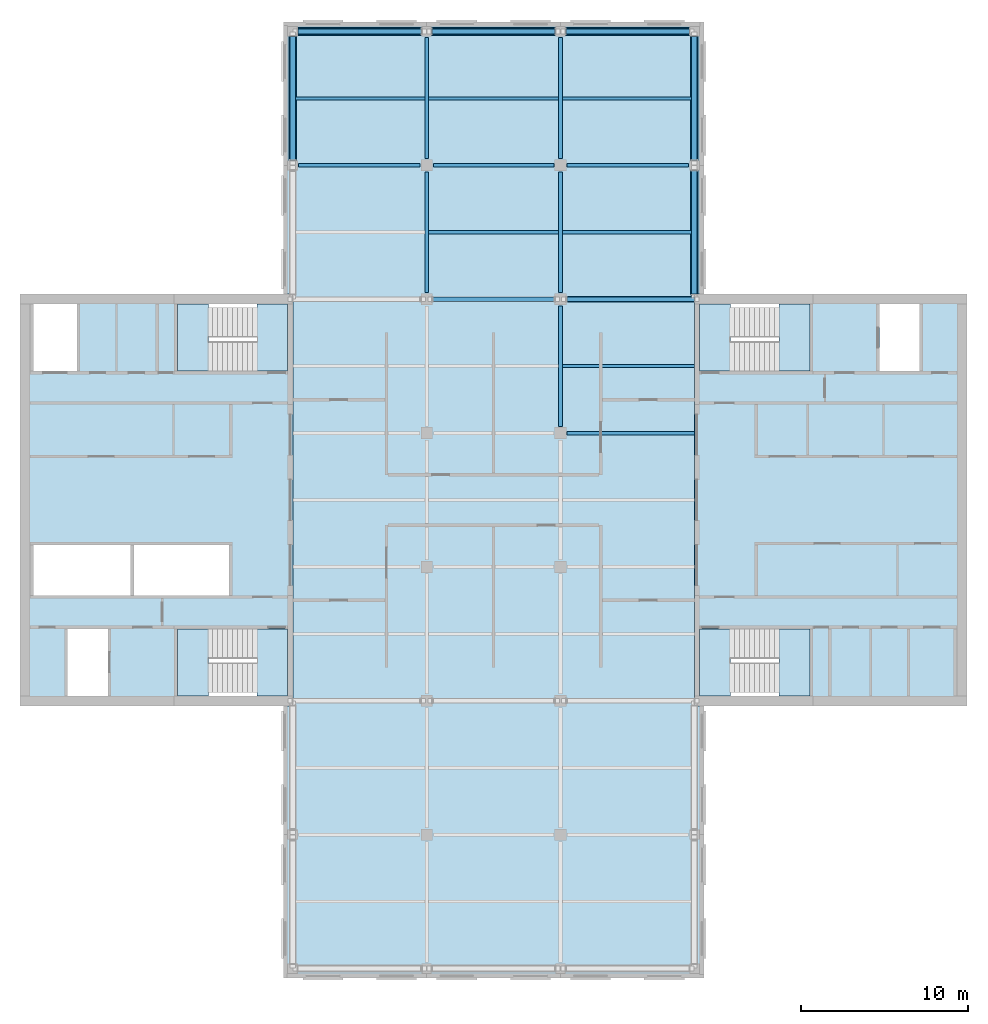
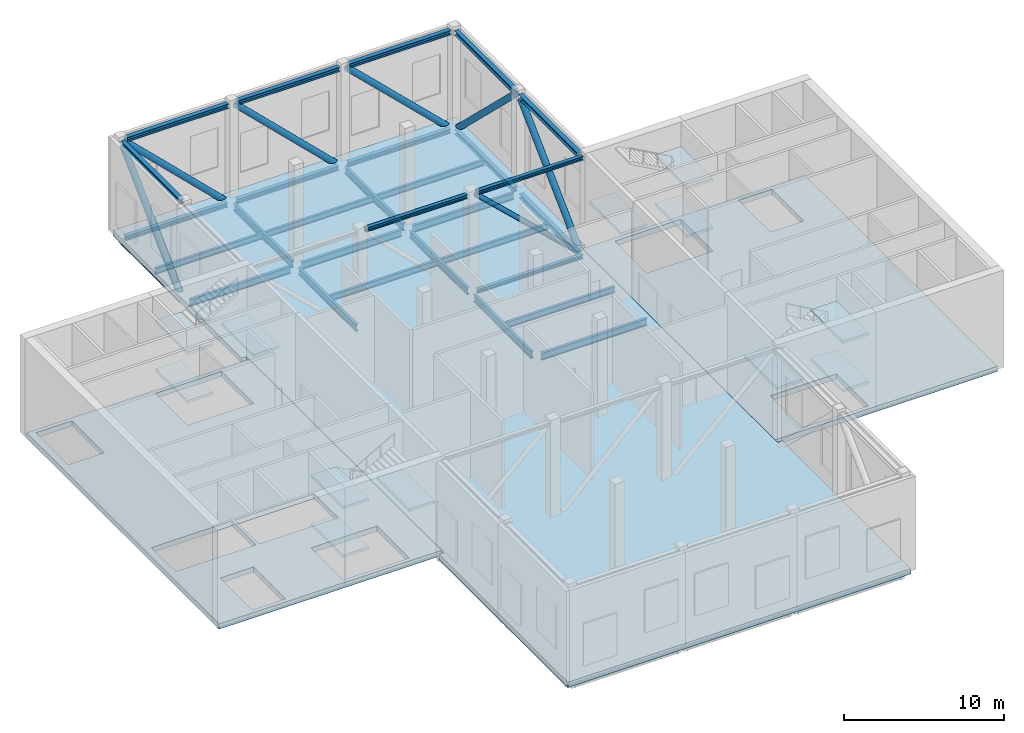
# One storey, part 2 of 10: 22 members, 15 beams, 15 slabs, 4 elements without a shape of their own.
"""IFC4 building model written with IfcOpenShell, lengths in metres."""

from ifc_helpers import new_model, si_unit, direction, frame, origin, origin_2d, place, context, subcontext, project, spatial, polyline, hollow_circle, i_section, outline, extrude, material, layer, layer_set, material_profile, profile_set, type_object, element, aggregate, save


model = new_model("IFC4")

# Units and contexts
model_context = context("Model", 3, precision=1e-05, world=origin(), true_north=direction((0.0, 1.0)))
body_context = subcontext(model_context, "Body", "Model", "MODEL_VIEW")
ifc_project = project(units=[si_unit("LENGTHUNIT", "METRE"), si_unit("AREAUNIT", "SQUARE_METRE"), si_unit("VOLUMEUNIT", "CUBIC_METRE"), si_unit("PLANEANGLEUNIT", "RADIAN"), si_unit("MASSUNIT", "GRAM", prefix="KILO")], contexts=[model_context])

# Site, building, storey
site_placement = place(None, origin())
site = spatial("IfcSite", under=ifc_project, at=site_placement, CompositionType="ELEMENT")
building_placement = place(site_placement, origin())
building = spatial("IfcBuilding", under=site, at=building_placement, Name="Crosswind Convention Tower", CompositionType="ELEMENT")
storey_placement = place(building_placement, frame((0.0, 0.0, 237.699951171875)))
storey = spatial("IfcBuildingStorey", under=building, at=storey_placement, Name="L51", CompositionType="ELEMENT", Elevation=237.699951171875)

# Beams
ifc_material_1 = material(Name="Steel S355", Category="steel")
ifc_material_profile_1 = material_profile(ifc_material_1, i_section(OverallWidth=0.210693359375, OverallDepth=0.53955078125, WebThickness=0.01171875, FlangeThickness=0.018798828125, FilletRadius=0.0126953125, at=origin_2d()), Name="UB 533x210x109")
ifc_profile_set_1 = profile_set([ifc_material_profile_1], Name="Steel S355")
beam_type_1 = type_object("IfcBeamType", Name="Girder UB 533x210x109", PredefinedType="BEAM", material=ifc_profile_set_1)
beam_1_placement = place(storey_placement, frame((113.35009765625, 120.0, -0.669677734375), z_axis=(1.0, 0.0, 0.0), x_axis=(0.0, 1.0, 0.0)))
element("IfcBeam", 1, at=beam_1_placement, inside=storey, type_object=beam_type_1, Name="B5 L51 girder 2", PredefinedType="BEAM", context=body_context, shape_type="SweptSolid", body=[
    extrude(i_section(OverallWidth=0.210693359375, OverallDepth=0.53955078125, WebThickness=0.01171875, FlangeThickness=0.018798828125, FilletRadius=0.0126953125, at=origin_2d()), origin(), (0.0, 0.0, 1.0), 7.25),
])
beam_2_placement = place(storey_placement, frame((121.0, 112.39990234375, -0.669677734375), z_axis=(0.0, 1.0, 0.0), x_axis=(-1.0, 0.0, 0.0)))
element("IfcBeam", 2, at=beam_2_placement, inside=storey, type_object=beam_type_1, Name="B5 L51 girder 8", PredefinedType="BEAM", context=body_context, shape_type="SweptSolid", body=[
    extrude(i_section(OverallWidth=0.210693359375, OverallDepth=0.53955078125, WebThickness=0.01171875, FlangeThickness=0.018798828125, FilletRadius=0.0126953125, at=origin_2d()), origin(), (0.0, 0.0, 1.0), 7.2001953125),
])
beam_3_placement = place(storey_placement, frame((121.0, 120.39990234375, -0.669677734375), z_axis=(0.0, 1.0, 0.0), x_axis=(-1.0, 0.0, 0.0)))
element("IfcBeam", 3, at=beam_3_placement, inside=storey, type_object=beam_type_1, Name="B5 L51 girder 9", PredefinedType="BEAM", context=body_context, shape_type="SweptSolid", body=[
    extrude(i_section(OverallWidth=0.210693359375, OverallDepth=0.53955078125, WebThickness=0.01171875, FlangeThickness=0.018798828125, FilletRadius=0.0126953125, at=origin_2d()), origin(), (0.0, 0.0, 1.0), 7.25),
])
for number, where, z_axis, x_axis, name in (
    (4, (121.39990234375, 120.0, -0.669677734375), (1.0, 0.0, 0.0), (0.0, 1.0, 0.0), "B5 L51 girder 13"),
    (5, (129.0, 104.39990234375, -0.669677734375), (0.0, 1.0, 0.0), (-1.0, 0.0, 0.0), "B5 L51 girder 18"),
    (6, (129.0, 112.39990234375, -0.669677734375), (0.0, 1.0, 0.0), (-1.0, 0.0, 0.0), "B5 L51 girder 19"),
):
    element("IfcBeam", number, at=place(storey_placement, frame(where, z_axis=z_axis, x_axis=x_axis)), inside=storey, type_object=beam_type_1, Name=name, PredefinedType="BEAM", context=body_context, shape_type="SweptSolid", body=[
        extrude(i_section(OverallWidth=0.210693359375, OverallDepth=0.53955078125, WebThickness=0.01171875, FlangeThickness=0.018798828125, FilletRadius=0.0126953125, at=origin_2d()), origin(), (0.0, 0.0, 1.0), 7.2001953125),
    ])
for number, where, z_axis, x_axis, name in (
    (7, (129.0, 120.39990234375, -0.669677734375), (0.0, 1.0, 0.0), (-1.0, 0.0, 0.0), "B5 L51 girder 20"),
    (8, (129.39990234375, 120.0, -0.669677734375), (1.0, 0.0, 0.0), (0.0, 1.0, 0.0), "B5 L51 girder 22"),
):
    element("IfcBeam", number, at=place(storey_placement, frame(where, z_axis=z_axis, x_axis=x_axis)), inside=storey, type_object=beam_type_1, Name=name, PredefinedType="BEAM", context=body_context, shape_type="SweptSolid", body=[
        extrude(i_section(OverallWidth=0.210693359375, OverallDepth=0.53955078125, WebThickness=0.01171875, FlangeThickness=0.018798828125, FilletRadius=0.0126953125, at=origin_2d()), origin(), (0.0, 0.0, 1.0), 7.25),
    ])
ifc_material_profile_2 = material_profile(ifc_material_1, i_section(OverallWidth=0.2119140625, OverallDepth=0.544677734375, WebThickness=0.0126953125, FlangeThickness=0.021240234375, FilletRadius=0.0126953125, at=origin_2d()), Name="UB 533x210x122")
ifc_profile_set_2 = profile_set([ifc_material_profile_2], Name="Steel S355")
beam_type_2 = type_object("IfcBeamType", Name="Girder at core wall UB 533x210x122", PredefinedType="BEAM", material=ifc_profile_set_2)
beam_4_placement = place(storey_placement, frame((129.39990234375, 104.0, -0.67236328125), z_axis=(1.0, 0.0, 0.0), x_axis=(0.0, 1.0, 0.0)))
element("IfcBeam", 9, at=beam_4_placement, inside=storey, type_object=beam_type_2, Name="B26 L51 girder at core wall 4", PredefinedType="BEAM", context=body_context, shape_type="SweptSolid", body=[
    extrude(i_section(OverallWidth=0.2119140625, OverallDepth=0.544677734375, WebThickness=0.0126953125, FlangeThickness=0.021240234375, FilletRadius=0.0126953125, at=origin_2d()), origin(), (0.0, 0.0, 1.0), 7.60009765625),
])
ifc_material_profile_3 = material_profile(ifc_material_1, i_section(OverallWidth=0.1904296875, OverallDepth=0.457275390625, WebThickness=0.009033203125, FlangeThickness=0.014404296875, FilletRadius=0.01025390625, at=origin_2d()), Name="UB 457x191x75")
ifc_profile_set_3 = profile_set([ifc_material_profile_3], Name="Steel S355")
beam_type_3 = type_object("IfcBeamType", Name="Secondary beam UB 457x191x75", PredefinedType="JOIST", material=ifc_profile_set_3)
beam_5_placement = place(storey_placement, frame((113.156982421875, 124.0, -0.628662109375), z_axis=(1.0, 0.0, 0.0), x_axis=(0.0, 1.0, 0.0)))
element("IfcBeam", 10, at=beam_5_placement, inside=storey, type_object=beam_type_3, Name="B12 L51 secondary beam 7", PredefinedType="JOIST", context=body_context, shape_type="SweptSolid", body=[
    extrude(i_section(OverallWidth=0.1904296875, OverallDepth=0.457275390625, WebThickness=0.009033203125, FlangeThickness=0.014404296875, FilletRadius=0.01025390625, at=origin_2d()), origin(), (0.0, 0.0, 1.0), 7.737548828125),
])
for number, where, z_axis, x_axis, name in (
    (11, (121.10546875, 116.0, -0.628662109375), (1.0, 0.0, 0.0), (0.0, 1.0, 0.0), "B12 L51 secondary beam 13"),
    (12, (121.10546875, 124.0, -0.628662109375), (1.0, 0.0, 0.0), (0.0, 1.0, 0.0), "B12 L51 secondary beam 14"),
):
    element("IfcBeam", number, at=place(storey_placement, frame(where, z_axis=z_axis, x_axis=x_axis)), inside=storey, type_object=beam_type_3, Name=name, PredefinedType="JOIST", context=body_context, shape_type="SweptSolid", body=[
        extrude(i_section(OverallWidth=0.1904296875, OverallDepth=0.457275390625, WebThickness=0.009033203125, FlangeThickness=0.014404296875, FilletRadius=0.01025390625, at=origin_2d()), origin(), (0.0, 0.0, 1.0), 7.7890625),
    ])
beam_6_placement = place(storey_placement, frame((129.10546875, 108.0, -0.628662109375), z_axis=(1.0, 0.0, 0.0), x_axis=(0.0, 1.0, 0.0)))
element("IfcBeam", 13, at=beam_6_placement, inside=storey, type_object=beam_type_3, Name="B12 L51 secondary beam 19", PredefinedType="JOIST", context=body_context, shape_type="SweptSolid", body=[
    extrude(i_section(OverallWidth=0.1904296875, OverallDepth=0.457275390625, WebThickness=0.009033203125, FlangeThickness=0.014404296875, FilletRadius=0.01025390625, at=origin_2d()), origin(), (0.0, 0.0, 1.0), 7.89453125),
])
for number, where, z_axis, x_axis, name in (
    (14, (129.10546875, 116.0, -0.628662109375), (1.0, 0.0, 0.0), (0.0, 1.0, 0.0), "B12 L51 secondary beam 20"),
    (15, (129.10546875, 124.0, -0.628662109375), (1.0, 0.0, 0.0), (0.0, 1.0, 0.0), "B12 L51 secondary beam 21"),
):
    element("IfcBeam", number, at=place(storey_placement, frame(where, z_axis=z_axis, x_axis=x_axis)), inside=storey, type_object=beam_type_3, Name=name, PredefinedType="JOIST", context=body_context, shape_type="SweptSolid", body=[
        extrude(i_section(OverallWidth=0.1904296875, OverallDepth=0.457275390625, WebThickness=0.009033203125, FlangeThickness=0.014404296875, FilletRadius=0.01025390625, at=origin_2d()), origin(), (0.0, 0.0, 1.0), 7.737548828125),
    ])

# Members
ifc_material_profile_4 = material_profile(ifc_material_1, i_section(OverallWidth=0.264404296875, OverallDepth=0.2890625, WebThickness=0.019287109375, FlangeThickness=0.03173828125, FilletRadius=0.0126953125, at=origin_2d()), Name="UC 254x254x167")
ifc_profile_set_4 = profile_set([ifc_material_profile_4], Name="Steel S355")
member_type_1 = type_object("IfcMemberType", Name="Truss chord UC 254x254x167", PredefinedType="CHORD", material=ifc_profile_set_4)
member_1_placement = place(storey_placement, frame((121.35009765625, 112.0, 6.95556640625), z_axis=(1.0, 0.0, 0.0), x_axis=(0.0, 1.0, 0.0)))
element("IfcMember", 16, at=member_1_placement, inside=storey, type_object=member_type_1, Name="M3 L51 top chord 18", PredefinedType="CHORD", context=body_context, shape_type="SweptSolid", body=[
    extrude(i_section(OverallWidth=0.264404296875, OverallDepth=0.2890625, WebThickness=0.019287109375, FlangeThickness=0.03173828125, FilletRadius=0.0126953125, at=origin_2d()), origin(), (0.0, 0.0, 1.0), 7.2998046875),
])
member_2_placement = place(storey_placement, frame((129.39990234375, 112.0, -0.54443359375), z_axis=(1.0, 0.0, 0.0), x_axis=(0.0, 1.0, 0.0)))
element("IfcMember", 17, at=member_2_placement, inside=storey, type_object=member_type_1, Name="M3 L51 bottom chord 20", PredefinedType="CHORD", context=body_context, shape_type="SweptSolid", body=[
    extrude(i_section(OverallWidth=0.264404296875, OverallDepth=0.2890625, WebThickness=0.019287109375, FlangeThickness=0.03173828125, FilletRadius=0.0126953125, at=origin_2d()), origin(), (0.0, 0.0, 1.0), 7.60009765625),
])
member_3_placement = place(storey_placement, frame((129.35009765625, 112.0, 6.95556640625), z_axis=(1.0, 0.0, 0.0), x_axis=(0.0, 1.0, 0.0)))
element("IfcMember", 18, at=member_3_placement, inside=storey, type_object=member_type_1, Name="M3 L51 top chord 20", PredefinedType="CHORD", context=body_context, shape_type="SweptSolid", body=[
    extrude(i_section(OverallWidth=0.264404296875, OverallDepth=0.2890625, WebThickness=0.019287109375, FlangeThickness=0.03173828125, FilletRadius=0.0126953125, at=origin_2d()), origin(), (0.0, 0.0, 1.0), 7.64990234375),
])
ifc_material_profile_5 = material_profile(ifc_material_1, i_section(OverallWidth=0.314208984375, OverallDepth=0.33984375, WebThickness=0.019287109375, FlangeThickness=0.031494140625, FilletRadius=0.01513671875, at=origin_2d()), Name="UC 305x305x198")
ifc_profile_set_5 = profile_set([ifc_material_profile_5], Name="Steel S355")
member_type_2 = type_object("IfcMemberType", Name="Truss chord UC 305x305x198", PredefinedType="CHORD", material=ifc_profile_set_5)
member_4_placement = place(storey_placement, frame((113.0, 120.35009765625, -0.56982421875), z_axis=(0.0, 1.0, 0.0), x_axis=(-1.0, 0.0, 0.0)))
element("IfcMember", 19, at=member_4_placement, inside=storey, type_object=member_type_2, Name="M1 L51 bottom chord 5", PredefinedType="CHORD", context=body_context, shape_type="SweptSolid", body=[
    extrude(i_section(OverallWidth=0.314208984375, OverallDepth=0.33984375, WebThickness=0.019287109375, FlangeThickness=0.031494140625, FilletRadius=0.01513671875, at=origin_2d()), origin(), (0.0, 0.0, 1.0), 7.349853515625),
])
member_5_placement = place(storey_placement, frame((113.0, 120.300048828125, 6.93017578125), z_axis=(0.0, 1.0, 0.0), x_axis=(-1.0, 0.0, 0.0)))
element("IfcMember", 20, at=member_5_placement, inside=storey, type_object=member_type_2, Name="M1 L51 top chord 5", PredefinedType="CHORD", context=body_context, shape_type="SweptSolid", body=[
    extrude(i_section(OverallWidth=0.314208984375, OverallDepth=0.33984375, WebThickness=0.019287109375, FlangeThickness=0.031494140625, FilletRadius=0.01513671875, at=origin_2d()), origin(), (0.0, 0.0, 1.0), 7.39990234375),
])
member_6_placement = place(storey_placement, frame((113.300048828125, 128.0, -0.56982421875), z_axis=(1.0, 0.0, 0.0), x_axis=(0.0, 1.0, 0.0)))
element("IfcMember", 21, at=member_6_placement, inside=storey, type_object=member_type_2, Name="M1 L51 bottom chord 6", PredefinedType="CHORD", context=body_context, shape_type="SweptSolid", body=[
    extrude(i_section(OverallWidth=0.314208984375, OverallDepth=0.33984375, WebThickness=0.019287109375, FlangeThickness=0.031494140625, FilletRadius=0.01513671875, at=origin_2d()), origin(), (0.0, 0.0, 1.0), 7.349853515625),
])
member_7_placement = place(storey_placement, frame((113.300048828125, 128.0, 6.93017578125), z_axis=(1.0, 0.0, 0.0), x_axis=(0.0, 1.0, 0.0)))
element("IfcMember", 22, at=member_7_placement, inside=storey, type_object=member_type_2, Name="M1 L51 top chord 6", PredefinedType="CHORD", context=body_context, shape_type="SweptSolid", body=[
    extrude(i_section(OverallWidth=0.314208984375, OverallDepth=0.33984375, WebThickness=0.019287109375, FlangeThickness=0.031494140625, FilletRadius=0.01513671875, at=origin_2d()), origin(), (0.0, 0.0, 1.0), 7.39990234375),
])
member_8_placement = place(storey_placement, frame((121.35009765625, 128.0, -0.56982421875), z_axis=(1.0, 0.0, 0.0), x_axis=(0.0, 1.0, 0.0)))
element("IfcMember", 23, at=member_8_placement, inside=storey, type_object=member_type_2, Name="M1 L51 bottom chord 8", PredefinedType="CHORD", context=body_context, shape_type="SweptSolid", body=[
    extrude(i_section(OverallWidth=0.314208984375, OverallDepth=0.33984375, WebThickness=0.019287109375, FlangeThickness=0.031494140625, FilletRadius=0.01513671875, at=origin_2d()), origin(), (0.0, 0.0, 1.0), 7.2998046875),
])
member_9_placement = place(storey_placement, frame((121.300048828125, 128.0, 6.93017578125), z_axis=(1.0, 0.0, 0.0), x_axis=(0.0, 1.0, 0.0)))
element("IfcMember", 24, at=member_9_placement, inside=storey, type_object=member_type_2, Name="M1 L51 top chord 8", PredefinedType="CHORD", context=body_context, shape_type="SweptSolid", body=[
    extrude(i_section(OverallWidth=0.314208984375, OverallDepth=0.33984375, WebThickness=0.019287109375, FlangeThickness=0.031494140625, FilletRadius=0.01513671875, at=origin_2d()), origin(), (0.0, 0.0, 1.0), 7.39990234375),
])
member_10_placement = place(storey_placement, frame((129.35009765625, 128.0, -0.56982421875), z_axis=(1.0, 0.0, 0.0), x_axis=(0.0, 1.0, 0.0)))
element("IfcMember", 25, at=member_10_placement, inside=storey, type_object=member_type_2, Name="M1 L51 bottom chord 10", PredefinedType="CHORD", context=body_context, shape_type="SweptSolid", body=[
    extrude(i_section(OverallWidth=0.314208984375, OverallDepth=0.33984375, WebThickness=0.019287109375, FlangeThickness=0.031494140625, FilletRadius=0.01513671875, at=origin_2d()), origin(), (0.0, 0.0, 1.0), 7.349853515625),
])
member_11_placement = place(storey_placement, frame((129.300048828125, 128.0, 6.93017578125), z_axis=(1.0, 0.0, 0.0), x_axis=(0.0, 1.0, 0.0)))
element("IfcMember", 26, at=member_11_placement, inside=storey, type_object=member_type_2, Name="M1 L51 top chord 10", PredefinedType="CHORD", context=body_context, shape_type="SweptSolid", body=[
    extrude(i_section(OverallWidth=0.314208984375, OverallDepth=0.33984375, WebThickness=0.019287109375, FlangeThickness=0.031494140625, FilletRadius=0.01513671875, at=origin_2d()), origin(), (0.0, 0.0, 1.0), 7.39990234375),
])
member_12_placement = place(storey_placement, frame((137.0, 112.300048828125, -0.56982421875), z_axis=(0.0, 1.0, 0.0), x_axis=(-1.0, 0.0, 0.0)))
element("IfcMember", 27, at=member_12_placement, inside=storey, type_object=member_type_2, Name="M1 L51 bottom chord 13", PredefinedType="CHORD", context=body_context, shape_type="SweptSolid", body=[
    extrude(i_section(OverallWidth=0.314208984375, OverallDepth=0.33984375, WebThickness=0.019287109375, FlangeThickness=0.031494140625, FilletRadius=0.01513671875, at=origin_2d()), origin(), (0.0, 0.0, 1.0), 7.349853515625),
])
member_13_placement = place(storey_placement, frame((137.0, 112.300048828125, 6.93017578125), z_axis=(0.0, 1.0, 0.0), x_axis=(-1.0, 0.0, 0.0)))
element("IfcMember", 28, at=member_13_placement, inside=storey, type_object=member_type_2, Name="M1 L51 top chord 13", PredefinedType="CHORD", context=body_context, shape_type="SweptSolid", body=[
    extrude(i_section(OverallWidth=0.314208984375, OverallDepth=0.33984375, WebThickness=0.019287109375, FlangeThickness=0.031494140625, FilletRadius=0.01513671875, at=origin_2d()), origin(), (0.0, 0.0, 1.0), 7.39990234375),
])
member_14_placement = place(storey_placement, frame((137.0, 120.35009765625, -0.56982421875), z_axis=(0.0, 1.0, 0.0), x_axis=(-1.0, 0.0, 0.0)))
element("IfcMember", 29, at=member_14_placement, inside=storey, type_object=member_type_2, Name="M1 L51 bottom chord 14", PredefinedType="CHORD", context=body_context, shape_type="SweptSolid", body=[
    extrude(i_section(OverallWidth=0.314208984375, OverallDepth=0.33984375, WebThickness=0.019287109375, FlangeThickness=0.031494140625, FilletRadius=0.01513671875, at=origin_2d()), origin(), (0.0, 0.0, 1.0), 7.349853515625),
])
member_15_placement = place(storey_placement, frame((137.0, 120.300048828125, 6.93017578125), z_axis=(0.0, 1.0, 0.0), x_axis=(-1.0, 0.0, 0.0)))
element("IfcMember", 30, at=member_15_placement, inside=storey, type_object=member_type_2, Name="M1 L51 top chord 14", PredefinedType="CHORD", context=body_context, shape_type="SweptSolid", body=[
    extrude(i_section(OverallWidth=0.314208984375, OverallDepth=0.33984375, WebThickness=0.019287109375, FlangeThickness=0.031494140625, FilletRadius=0.01513671875, at=origin_2d()), origin(), (0.0, 0.0, 1.0), 7.39990234375),
])
ifc_material_profile_6 = material_profile(ifc_material_1, hollow_circle(Radius=0.161865234375, WallThickness=0.011962890625, at=origin_2d()), Name="CHS 323.9x12.0")
ifc_profile_set_6 = profile_set([ifc_material_profile_6], Name="Steel S355")
member_type_3 = type_object("IfcMemberType", Name="Truss diagonal CHS 323.9x12.0", PredefinedType="BRACE", material=ifc_profile_set_6)
member_16_placement = place(storey_placement, frame((129.35009765625, 112.0, 6.81103515625), z_axis=(0.727676171283, 0.0, -0.68592083344), x_axis=(0.0, 1.0, 0.0)))
element("IfcMember", 31, at=member_16_placement, inside=storey, type_object=member_type_3, Name="M6 L51 diagonal 20", PredefinedType="BRACE", context=body_context, shape_type="SweptSolid", body=[
    extrude(hollow_circle(Radius=0.161865234375, WallThickness=0.011962890625, at=origin_2d()), origin(), (0.0, 0.0, 1.0), 10.5126953125),
])
ifc_material_profile_7 = material_profile(ifc_material_1, hollow_circle(Radius=0.228515625, WallThickness=0.011962890625, at=origin_2d()), Name="CHS 457.0x12.0")
ifc_profile_set_7 = profile_set([ifc_material_profile_7], Name="Steel S355")
member_type_4 = type_object("IfcMemberType", Name="Truss diagonal CHS 457.0x12.0", PredefinedType="BRACE", material=ifc_profile_set_7)
for number, where, z_axis, x_axis, name in (
    (32, (113.0, 120.35009765625, -0.39990234375), (0.0, 0.716289962853, 0.697802758032), (-1.0, 0.0, 0.0), "M5 L51 diagonal 5"),
    (33, (113.300048828125, 128.0, 6.76025390625), (0.716289962853, 0.0, -0.697802758032), (0.0, 1.0, 0.0), "M5 L51 diagonal 6"),
    (34, (121.300048828125, 128.0, 6.76025390625), (0.716289962853, 0.0, -0.697802758032), (0.0, 1.0, 0.0), "M5 L51 diagonal 8"),
):
    element("IfcMember", number, at=place(storey_placement, frame(where, z_axis=z_axis, x_axis=x_axis)), inside=storey, type_object=member_type_4, Name=name, PredefinedType="BRACE", context=body_context, shape_type="SweptSolid", body=[
        extrude(hollow_circle(Radius=0.228515625, WallThickness=0.011962890625, at=origin_2d()), origin(), (0.0, 0.0, 1.0), 10.260986328125),
    ])
for number, where, z_axis, x_axis, name in (
    (35, (129.300048828125, 128.0, 6.76025390625), (0.71865259228, 0.0, -0.695369291534), (0.0, 1.0, 0.0), "M5 L51 diagonal 10"),
    (36, (137.0, 112.300048828125, -0.39990234375), (0.0, 0.71865259228, 0.695369291534), (-1.0, 0.0, 0.0), "M5 L51 diagonal 13"),
    (37, (137.0, 120.300048828125, 6.76025390625), (0.0, 0.71865259228, -0.695369291534), (-1.0, 0.0, 0.0), "M5 L51 diagonal 14"),
):
    element("IfcMember", number, at=place(storey_placement, frame(where, z_axis=z_axis, x_axis=x_axis)), inside=storey, type_object=member_type_4, Name=name, PredefinedType="BRACE", context=body_context, shape_type="SweptSolid", body=[
        extrude(hollow_circle(Radius=0.228515625, WallThickness=0.011962890625, at=origin_2d()), origin(), (0.0, 0.0, 1.0), 10.296875),
    ])

# Slabs
ifc_material_2 = material(Name="Concrete C40/50", Category="concrete")
ifc_layer_1 = layer(ifc_material_2, 0.39990234375)
ifc_layer_set_1 = layer_set([ifc_layer_1], Name="Concrete C40/50")
slab_type_1 = type_object("IfcSlabType", Name="Composite floor slab 400", PredefinedType="FLOOR", material=ifc_layer_set_1)
slab_1_placement = place(storey_placement, frame((0.0, 0.0, -0.39990234375)))
element("IfcSlab", 38, at=slab_1_placement, inside=storey, type_object=slab_type_1, Name="Floor slab L51", PredefinedType="FLOOR", context=body_context, shape_type="SweptSolid", body=[
    extrude(outline(polyline([(137.35009765625, 71.64990234375), (137.0, 71.64990234375), (113.0, 71.64990234375), (112.64990234375, 71.64990234375), (112.64990234375, 72.0), (112.64990234375, 87.699951171875), (113.0, 87.699951171875), (113.0, 112.300048828125), (112.64990234375, 112.300048828125), (112.64990234375, 128.0), (112.64990234375, 128.35009765625), (113.0, 128.35009765625), (137.0, 128.35009765625), (137.35009765625, 128.35009765625), (137.35009765625, 128.0), (137.35009765625, 112.300048828125), (137.0, 112.300048828125), (137.0, 87.699951171875), (137.35009765625, 87.699951171875), (137.35009765625, 72.0), (137.35009765625, 71.64990234375)])), origin(), (0.0, 0.0, 1.0), 0.39990234375),
])
ifc_layer_2 = layer(ifc_material_2, 0.39990234375)
ifc_layer_set_2 = layer_set([ifc_layer_2], Name="Concrete C40/50")
slab_type_2 = type_object("IfcSlabType", Name="Concrete core floor slab 400", PredefinedType="FLOOR", material=ifc_layer_set_2)
slab_2_placement = place(storey_placement, frame((0.0, 0.0, -0.39990234375)))
element("IfcSlab", 39, at=slab_2_placement, inside=storey, type_object=slab_type_2, Name="Core floor slab E L51", PredefinedType="FLOOR", context=body_context, shape_type="SweptSolid", body=[
    extrude(outline(polyline([(137.0, 88.0), (153.0, 88.0), (153.0, 112.0), (137.0, 112.0), (137.0, 88.0)]), holes=[polyline([(150.449951171875, 107.699951171875), (150.449951171875, 111.699951171875), (148.050048828125, 111.699951171875), (148.050048828125, 107.699951171875), (150.449951171875, 107.699951171875)]), polyline([(143.89990234375, 107.699951171875), (143.89990234375, 111.699951171875), (139.14990234375, 111.699951171875), (139.14990234375, 107.699951171875), (143.89990234375, 107.699951171875)]), polyline([(143.89990234375, 88.300048828125), (143.89990234375, 92.300048828125), (139.14990234375, 92.300048828125), (139.14990234375, 88.300048828125), (143.89990234375, 88.300048828125)])]), origin(), (0.0, 0.0, 1.0), 0.39990234375),
])
slab_3_placement = place(storey_placement, frame((0.0, 0.0, -0.39990234375)))
element("IfcSlab", 40, at=slab_3_placement, inside=storey, type_object=slab_type_2, Name="Core floor slab W L51", PredefinedType="FLOOR", context=body_context, shape_type="SweptSolid", body=[
    extrude(outline(polyline([(97.0, 88.0), (113.0, 88.0), (113.0, 112.0), (97.0, 112.0), (97.0, 88.0)]), holes=[polyline([(109.199951171875, 94.300048828125), (109.199951171875, 97.300048828125), (103.5, 97.300048828125), (103.5, 94.300048828125), (109.199951171875, 94.300048828125)]), polyline([(103.300048828125, 94.300048828125), (103.300048828125, 97.300048828125), (97.5, 97.300048828125), (97.5, 94.300048828125), (103.300048828125, 94.300048828125)]), polyline([(101.949951171875, 88.300048828125), (101.949951171875, 92.300048828125), (99.550048828125, 92.300048828125), (99.550048828125, 88.300048828125), (101.949951171875, 88.300048828125)]), polyline([(100.10009765625, 107.699951171875), (100.10009765625, 111.699951171875), (97.5, 111.699951171875), (97.5, 107.699951171875), (100.10009765625, 107.699951171875)]), polyline([(110.85009765625, 88.300048828125), (110.85009765625, 92.300048828125), (106.10009765625, 92.300048828125), (106.10009765625, 88.300048828125), (110.85009765625, 88.300048828125)]), polyline([(110.85009765625, 107.699951171875), (110.85009765625, 111.699951171875), (106.10009765625, 111.699951171875), (106.10009765625, 107.699951171875), (110.85009765625, 107.699951171875)])]), origin(), (0.0, 0.0, 1.0), 0.39990234375),
])

# Stair, slabs
stair_type = type_object("IfcStairType", Name="Exit stair 1800 wide, 4 flights of 11 risers", PredefinedType="HALF_TURN_STAIR", material=ifc_material_2)
stair_1_placement = place(storey_placement, origin())
stair_1 = element("IfcStair", 41, at=stair_1_placement, inside=storey, type_object=stair_type, Name="Exit stair ST1 L51", ObjectType="ST6", PredefinedType="HALF_TURN_STAIR")
ifc_layer_3 = layer(ifc_material_2, 0.199951171875)
ifc_layer_set_3 = layer_set([ifc_layer_3], Name="Concrete C40/50")
slab_type_3 = type_object("IfcSlabType", Name="Stair landing 200", PredefinedType="LANDING", material=ifc_layer_set_3)
slab_4_placement = place(storey_placement, frame((0.0, 0.0, 1.650146484375)))
slab_4 = element("IfcSlab", 42, at=slab_4_placement, type_object=slab_type_3, Name="ST1 landing 1", PredefinedType="LANDING", context=body_context, shape_type="SweptSolid", body=[
    extrude(outline(polyline([(143.89990234375, 107.699951171875), (143.89990234375, 111.699951171875), (142.050048828125, 111.699951171875), (142.050048828125, 107.699951171875), (143.89990234375, 107.699951171875)])), origin(), (0.0, 0.0, 1.0), 0.199951171875),
])
slab_5_placement = place(storey_placement, frame((0.0, 0.0, 3.5)))
slab_5 = element("IfcSlab", 43, at=slab_5_placement, type_object=slab_type_3, Name="ST1 landing 2", PredefinedType="LANDING", context=body_context, shape_type="SweptSolid", body=[
    extrude(outline(polyline([(139.14990234375, 107.699951171875), (139.14990234375, 111.699951171875), (137.300048828125, 111.699951171875), (137.300048828125, 107.699951171875), (139.14990234375, 107.699951171875)])), origin(), (0.0, 0.0, 1.0), 0.199951171875),
])
slab_6_placement = place(storey_placement, frame((0.0, 0.0, 5.35009765625)))
slab_6 = element("IfcSlab", 44, at=slab_6_placement, type_object=slab_type_3, Name="ST1 landing 3", PredefinedType="LANDING", context=body_context, shape_type="SweptSolid", body=[
    extrude(outline(polyline([(143.89990234375, 107.699951171875), (143.89990234375, 111.699951171875), (142.050048828125, 111.699951171875), (142.050048828125, 107.699951171875), (143.89990234375, 107.699951171875)])), origin(), (0.0, 0.0, 1.0), 0.199951171875),
])
aggregate(stair_1, [slab_4, slab_5, slab_6])

stair_2_placement = place(storey_placement, origin())
stair_2 = element("IfcStair", 45, at=stair_2_placement, inside=storey, type_object=stair_type, Name="Exit stair ST2 L51", ObjectType="ST6", PredefinedType="HALF_TURN_STAIR")
slab_7_placement = place(storey_placement, frame((0.0, 0.0, 1.650146484375)))
slab_7 = element("IfcSlab", 46, at=slab_7_placement, type_object=slab_type_3, Name="ST2 landing 1", PredefinedType="LANDING", context=body_context, shape_type="SweptSolid", body=[
    extrude(outline(polyline([(143.89990234375, 88.300048828125), (143.89990234375, 92.300048828125), (142.050048828125, 92.300048828125), (142.050048828125, 88.300048828125), (143.89990234375, 88.300048828125)])), origin(), (0.0, 0.0, 1.0), 0.199951171875),
])
slab_8_placement = place(storey_placement, frame((0.0, 0.0, 3.5)))
slab_8 = element("IfcSlab", 47, at=slab_8_placement, type_object=slab_type_3, Name="ST2 landing 2", PredefinedType="LANDING", context=body_context, shape_type="SweptSolid", body=[
    extrude(outline(polyline([(139.14990234375, 88.300048828125), (139.14990234375, 92.300048828125), (137.300048828125, 92.300048828125), (137.300048828125, 88.300048828125), (139.14990234375, 88.300048828125)])), origin(), (0.0, 0.0, 1.0), 0.199951171875),
])
slab_9_placement = place(storey_placement, frame((0.0, 0.0, 5.35009765625)))
slab_9 = element("IfcSlab", 48, at=slab_9_placement, type_object=slab_type_3, Name="ST2 landing 3", PredefinedType="LANDING", context=body_context, shape_type="SweptSolid", body=[
    extrude(outline(polyline([(143.89990234375, 88.300048828125), (143.89990234375, 92.300048828125), (142.050048828125, 92.300048828125), (142.050048828125, 88.300048828125), (143.89990234375, 88.300048828125)])), origin(), (0.0, 0.0, 1.0), 0.199951171875),
])
aggregate(stair_2, [slab_7, slab_8, slab_9])

stair_3_placement = place(storey_placement, origin())
stair_3 = element("IfcStair", 49, at=stair_3_placement, inside=storey, type_object=stair_type, Name="Exit stair ST3 L51", ObjectType="ST6", PredefinedType="HALF_TURN_STAIR")
slab_10_placement = place(storey_placement, frame((0.0, 0.0, 1.650146484375)))
slab_10 = element("IfcSlab", 50, at=slab_10_placement, type_object=slab_type_3, Name="ST3 landing 1", PredefinedType="LANDING", context=body_context, shape_type="SweptSolid", body=[
    extrude(outline(polyline([(107.949951171875, 88.300048828125), (107.949951171875, 92.300048828125), (106.10009765625, 92.300048828125), (106.10009765625, 88.300048828125), (107.949951171875, 88.300048828125)])), origin(), (0.0, 0.0, 1.0), 0.199951171875),
])
slab_11_placement = place(storey_placement, frame((0.0, 0.0, 3.5)))
slab_11 = element("IfcSlab", 51, at=slab_11_placement, type_object=slab_type_3, Name="ST3 landing 2", PredefinedType="LANDING", context=body_context, shape_type="SweptSolid", body=[
    extrude(outline(polyline([(112.699951171875, 88.300048828125), (112.699951171875, 92.300048828125), (110.85009765625, 92.300048828125), (110.85009765625, 88.300048828125), (112.699951171875, 88.300048828125)])), origin(), (0.0, 0.0, 1.0), 0.199951171875),
])
slab_12_placement = place(storey_placement, frame((0.0, 0.0, 5.35009765625)))
slab_12 = element("IfcSlab", 52, at=slab_12_placement, type_object=slab_type_3, Name="ST3 landing 3", PredefinedType="LANDING", context=body_context, shape_type="SweptSolid", body=[
    extrude(outline(polyline([(107.949951171875, 88.300048828125), (107.949951171875, 92.300048828125), (106.10009765625, 92.300048828125), (106.10009765625, 88.300048828125), (107.949951171875, 88.300048828125)])), origin(), (0.0, 0.0, 1.0), 0.199951171875),
])
aggregate(stair_3, [slab_10, slab_11, slab_12])

stair_4_placement = place(storey_placement, origin())
stair_4 = element("IfcStair", 53, at=stair_4_placement, inside=storey, type_object=stair_type, Name="Exit stair ST4 L51", ObjectType="ST6", PredefinedType="HALF_TURN_STAIR")
slab_13_placement = place(storey_placement, frame((0.0, 0.0, 1.650146484375)))
slab_13 = element("IfcSlab", 54, at=slab_13_placement, type_object=slab_type_3, Name="ST4 landing 1", PredefinedType="LANDING", context=body_context, shape_type="SweptSolid", body=[
    extrude(outline(polyline([(107.949951171875, 107.699951171875), (107.949951171875, 111.699951171875), (106.10009765625, 111.699951171875), (106.10009765625, 107.699951171875), (107.949951171875, 107.699951171875)])), origin(), (0.0, 0.0, 1.0), 0.199951171875),
])
slab_14_placement = place(storey_placement, frame((0.0, 0.0, 3.5)))
slab_14 = element("IfcSlab", 55, at=slab_14_placement, type_object=slab_type_3, Name="ST4 landing 2", PredefinedType="LANDING", context=body_context, shape_type="SweptSolid", body=[
    extrude(outline(polyline([(112.699951171875, 107.699951171875), (112.699951171875, 111.699951171875), (110.85009765625, 111.699951171875), (110.85009765625, 107.699951171875), (112.699951171875, 107.699951171875)])), origin(), (0.0, 0.0, 1.0), 0.199951171875),
])
slab_15_placement = place(storey_placement, frame((0.0, 0.0, 5.35009765625)))
slab_15 = element("IfcSlab", 56, at=slab_15_placement, type_object=slab_type_3, Name="ST4 landing 3", PredefinedType="LANDING", context=body_context, shape_type="SweptSolid", body=[
    extrude(outline(polyline([(107.949951171875, 107.699951171875), (107.949951171875, 111.699951171875), (106.10009765625, 111.699951171875), (106.10009765625, 107.699951171875), (107.949951171875, 107.699951171875)])), origin(), (0.0, 0.0, 1.0), 0.199951171875),
])
aggregate(stair_4, [slab_13, slab_14, slab_15])

save(model, "model.ifc")
